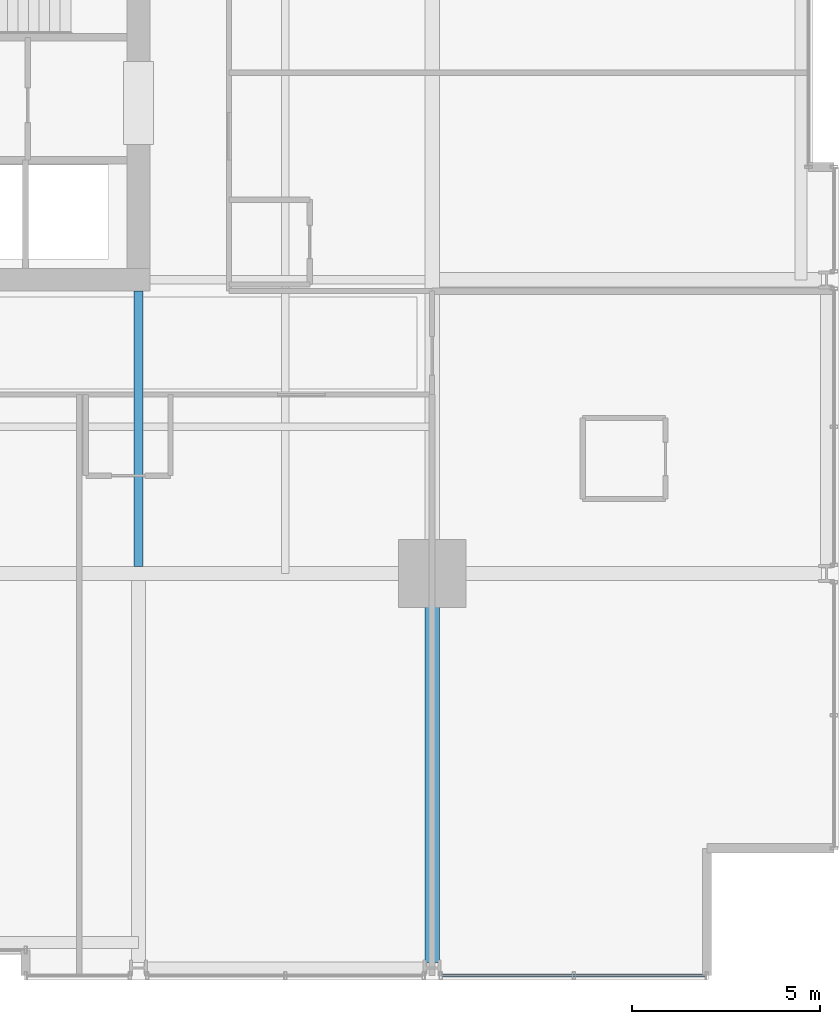
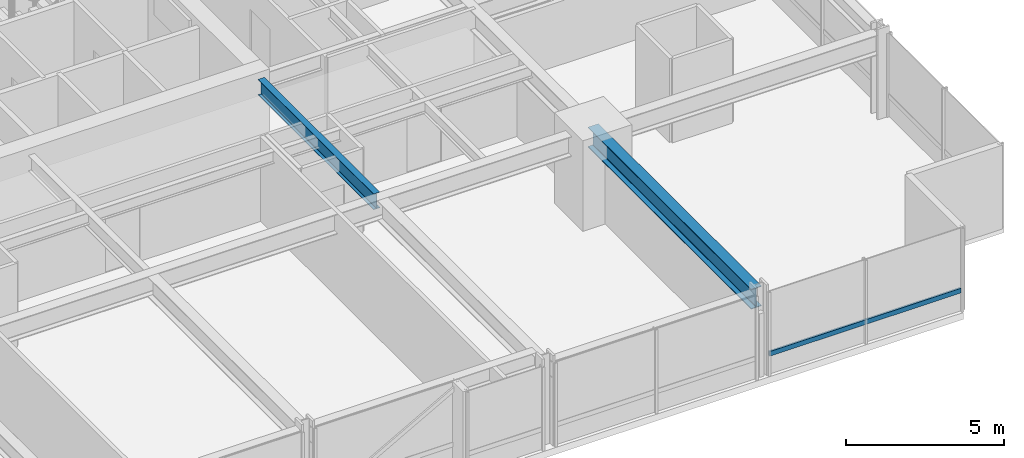
# One storey, part 12 of 38: 2 beams, 1 member, 1 element without a shape of its own.
"""IFC4 building model written with IfcOpenShell, lengths in metres."""

import ifcopenshell
import ifcopenshell.guid

model = None  # the IFC model being written
_history = None  # IfcOwnerHistory: only IFC2X3 demands one
_inside = {}  # id of a spatial element -> (the spatial element, [elements in it])
_under = {}  # id of a project, library or spatial element -> (it, [spatial elements below it])
_declared = {}  # id of a project -> (the project, [libraries it declares])
_typed = {}  # id of a type object -> (the type object, [elements of that type])
_made_of = {}  # id of a material, layer set ... -> (it, [elements and type objects made of it])


def new_model(schema):
    """Start an empty IFC model of exactly this schema.

    Asked for "IFC4X3", IfcOpenShell would pick the latest addendum, in which some entities
    have other attributes; the version numbers below select the first issue.
    IFC2X3 requires an IfcOwnerHistory on every rooted entity: one is made here for all.
    """
    global model, _history
    if schema == "IFC4X3":
        model = ifcopenshell.file(schema_version=(4, 3, 0, 0))
    else:
        model = ifcopenshell.file(schema=schema)
    _inside.clear()
    _under.clear()
    _declared.clear()
    _typed.clear()
    _made_of.clear()
    _history = None
    if model.schema == "IFC2X3":
        org = make("IfcOrganization", Name="unknown")
        user = make(
            "IfcPersonAndOrganization",
            ThePerson=make("IfcPerson", FamilyName="unknown"),
            TheOrganization=org,
        )
        app = make(
            "IfcApplication",
            ApplicationDeveloper=org,
            Version="unknown",
            ApplicationFullName="unknown",
            ApplicationIdentifier="unknown",
        )
        _history = make(
            "IfcOwnerHistory",
            OwningUser=user,
            OwningApplication=app,
            ChangeAction="ADDED",
            CreationDate=0,
        )
    return model


def make(cls, **values):
    """One entity of the class cls with the attributes given. An attribute that is None is left unset."""
    return model.create_entity(
        cls, **{name: value for name, value in values.items() if value is not None}
    )


def rooted(cls, **values):
    """An entity with a GlobalId (a new one), such as an element, a storey or a relation."""
    return make(cls, GlobalId=ifcopenshell.guid.new(), OwnerHistory=_history, **values)


def si_unit(unit_type, name, prefix=None):
    """IfcSIUnit, for example si_unit("LENGTHUNIT", "METRE", prefix="MILLI")."""
    return make("IfcSIUnit", UnitType=unit_type, Prefix=prefix, Name=name)


def assignment(units):
    """IfcUnitAssignment: the units of a project."""
    return None if units is None else make("IfcUnitAssignment", Units=units)


def point(xyz):
    """IfcCartesianPoint."""
    return None if xyz is None else make("IfcCartesianPoint", Coordinates=xyz)


def direction(xyz):
    """IfcDirection."""
    return None if xyz is None else make("IfcDirection", DirectionRatios=xyz)


def frame(location, z_axis=None, x_axis=None):
    """IfcAxis2Placement3D, a coordinate frame: its origin and axes. An axis left out is left unset."""
    return make(
        "IfcAxis2Placement3D",
        Location=point(location),
        Axis=direction(z_axis),
        RefDirection=direction(x_axis),
    )


def frame_2d(location, x_axis=None):
    """IfcAxis2Placement2D, a coordinate frame in the plane: its origin and x axis."""
    return make(
        "IfcAxis2Placement2D", Location=point(location), RefDirection=direction(x_axis)
    )


def origin():
    """The frame at (0, 0, 0) with its axes left unset."""
    return frame((0.0, 0.0, 0.0))


def origin_2d():
    """The frame at (0, 0) in the plane with its x axis left unset."""
    return frame_2d((0.0, 0.0))


def place(relative_to, where):
    """IfcLocalPlacement: puts the frame where relative to a parent placement (None: the world)."""
    return make(
        "IfcLocalPlacement", PlacementRelTo=relative_to, RelativePlacement=where
    )


def context(
    kind, dimensions, precision=None, world=None, true_north=None, identifier=None
):
    """IfcGeometricRepresentationContext, for example the 3D "Model" context."""
    return make(
        "IfcGeometricRepresentationContext",
        ContextIdentifier=identifier,
        ContextType=kind,
        CoordinateSpaceDimension=dimensions,
        Precision=precision,
        WorldCoordinateSystem=world,
        TrueNorth=true_north,
    )


def subcontext(parent, identifier, kind, view, scale=None):
    """IfcGeometricRepresentationSubContext, for example "Body" below "Model"."""
    return make(
        "IfcGeometricRepresentationSubContext",
        ContextIdentifier=identifier,
        ContextType=kind,
        ParentContext=parent,
        TargetScale=scale,
        TargetView=view,
    )


def project(units=None, contexts=None):
    """IfcProject with its units and contexts."""
    return rooted(
        "IfcProject",
        Name="project",
        RepresentationContexts=contexts,
        UnitsInContext=assignment(units),
    )


def spatial(cls, under=None, at=None, **own):
    """A site, building, storey or space (cls), placed at a placement, below another one or the project."""
    s = rooted(cls, ObjectPlacement=at, **own)
    if under is not None:
        _under.setdefault(under.id(), (under, []))[1].append(s)
    return s


def profile(cls, at=None, kind="AREA", **sizes):
    """A parametric profile (cls). Its sizes go by their IFC names, for example OverallWidth=200.0."""
    return make(cls, ProfileType=kind, Position=at, **sizes)


def hollow_rectangle(**sizes):
    """IfcRectangleHollowProfileDef."""
    return profile("IfcRectangleHollowProfileDef", **sizes)


def i_section(**sizes):
    """IfcIShapeProfileDef."""
    return profile("IfcIShapeProfileDef", **sizes)


def extrude(swept, where, along, depth):
    """IfcExtrudedAreaSolid: the profile swept, set in the frame where, extruded along a direction by depth."""
    return make(
        "IfcExtrudedAreaSolid",
        SweptArea=swept,
        Position=where,
        ExtrudedDirection=direction(along),
        Depth=depth,
    )


def shape(context_of_items, identifier, shape_type, items):
    """IfcShapeRepresentation: the items that make up one representation, for example the "Body"."""
    return make(
        "IfcShapeRepresentation",
        ContextOfItems=context_of_items,
        RepresentationIdentifier=identifier,
        RepresentationType=shape_type,
        Items=items,
    )


def material(Name=None, Category=None):
    """IfcMaterial."""
    return make("IfcMaterial", Name=Name, Category=Category)


def layer(
    of_material, thickness, ventilated=None, Name=None, Category=None, Priority=None
):
    """IfcMaterialLayer: one layer of a wall or slab, of a material (None: an air gap)."""
    return make(
        "IfcMaterialLayer",
        Material=of_material,
        LayerThickness=thickness,
        IsVentilated=ventilated,
        Name=Name,
        Category=Category,
        Priority=Priority,
    )


def layer_set(layers, Name=None):
    """IfcMaterialLayerSet."""
    return make("IfcMaterialLayerSet", MaterialLayers=layers, LayerSetName=Name)


def material_profile(
    of_material, cross_section, Name=None, Category=None, Priority=None
):
    """IfcMaterialProfile: a cross section and its material."""
    return make(
        "IfcMaterialProfile",
        Name=Name,
        Material=of_material,
        Profile=cross_section,
        Priority=Priority,
        Category=Category,
    )


def profile_set(profiles, Name=None, composite=None):
    """IfcMaterialProfileSet."""
    return make(
        "IfcMaterialProfileSet",
        Name=Name,
        MaterialProfiles=profiles,
        CompositeProfile=composite,
    )


def made_of(thing, what):
    """Note that an element or type object is made of a material, layer set ...; save() writes the relation."""
    if what is not None:
        _made_of.setdefault(what.id(), (what, []))[1].append(thing)
    return thing


def type_object(cls, material=None, **own):
    """A type object (cls), such as IfcWallType, which elements share."""
    return made_of(rooted(cls, **own), material)


def element(
    cls,
    number,
    at=None,
    inside=None,
    cuts=None,
    type_object=None,
    material=None,
    context=None,
    identifier="Body",
    shape_type=None,
    held_by="IfcProductDefinitionShape",
    body=None,
    shapes=None,
    **own,
):
    """One element of the class cls, such as IfcWall. Its Tag is "e" and its number.

    at: its placement. inside: the storey or other place that contains it. cuts: it is an
    opening in that element (IfcRelVoidsElement). A single representation is given by context,
    identifier, shape_type and body (its items); several are given by shapes. held_by: the class
    of the entity that holds the representations. save() writes the other relations.
    """
    e = rooted(cls, Tag="e%d" % number, ObjectPlacement=at, **own)
    if body is not None:
        shapes = [shape(context, identifier, shape_type, body)]
    if shapes is not None:
        e.Representation = make(held_by, Representations=shapes)
    if inside is not None:
        _inside.setdefault(inside.id(), (inside, []))[1].append(e)
    if cuts is not None:
        rooted(
            "IfcRelVoidsElement", RelatingBuildingElement=cuts, RelatedOpeningElement=e
        )
    if type_object is not None:
        _typed.setdefault(type_object.id(), (type_object, []))[1].append(e)
    return made_of(e, material)


def aggregate(whole, parts):
    """IfcRelAggregates: a whole, such as a stair, and the parts it consists of."""
    return rooted("IfcRelAggregates", RelatingObject=whole, RelatedObjects=parts)


def save(model, path):
    """Write the relations noted so far, then the file.

    IfcRelAggregates (storeys below a building ...), IfcRelContainedInSpatialStructure (elements
    in a storey), IfcRelDefinesByType, IfcRelAssociatesMaterial and IfcRelDeclares: one each for
    every whole, place, type object, material and project.
    """
    for whole, parts in _under.values():
        aggregate(whole, parts)
    for where, things in _inside.values():
        rooted(
            "IfcRelContainedInSpatialStructure",
            RelatedElements=things,
            RelatingStructure=where,
        )
    for kind, things in _typed.values():
        rooted("IfcRelDefinesByType", RelatedObjects=things, RelatingType=kind)
    for what, things in _made_of.values():
        rooted("IfcRelAssociatesMaterial", RelatedObjects=things, RelatingMaterial=what)
    for by, libraries in _declared.values():
        rooted("IfcRelDeclares", RelatingContext=by, RelatedDefinitions=libraries)
    model.write(path)


model = new_model("IFC4")

# Units and contexts
model_context = context("Model", 3, precision=1e-05, world=origin(), true_north=direction((0.0, 1.0)))
body_context = subcontext(model_context, "Body", "Model", "MODEL_VIEW")
ifc_project = project(units=[si_unit("LENGTHUNIT", "METRE"), si_unit("AREAUNIT", "SQUARE_METRE"), si_unit("VOLUMEUNIT", "CUBIC_METRE"), si_unit("PLANEANGLEUNIT", "RADIAN"), si_unit("MASSUNIT", "GRAM", prefix="KILO")], contexts=[model_context])

# Site, building, storey
site_placement = place(None, origin())
site = spatial("IfcSite", under=ifc_project, at=site_placement, CompositionType="ELEMENT")
building_placement = place(site_placement, origin())
building = spatial("IfcBuilding", under=site, at=building_placement, Name="Drelvath Grand Hotel", CompositionType="ELEMENT")
storey_placement = place(building_placement, frame((0.0, 0.0, 64.699951171875)))
storey = spatial("IfcBuildingStorey", under=building, at=storey_placement, Name="L15", CompositionType="ELEMENT", Elevation=64.699951171875)

# Curtain wall, member
ifc_material_1 = material(Name="Warm Bronze Anodised Aluminium Frame", Category="aluminium")
ifc_layer = layer(ifc_material_1, 0.199951171875)
ifc_layer_set = layer_set([ifc_layer], Name="Warm Bronze Anodised Aluminium Frame")
curtain_wall_type = type_object("IfcCurtainWallType", Name="Stick Curtain Wall CW-02 Warm Bronze Low-Rise", PredefinedType="NOTDEFINED", material=ifc_layer_set)
curtain_wall_placement = place(storey_placement, origin())
curtain_wall = element("IfcCurtainWall", 1, at=curtain_wall_placement, inside=storey, type_object=curtain_wall_type, Name="L15 CW-02 Curtain Wall CW02-L15-SE3", PredefinedType="NOTDEFINED")
ifc_material_profile_1 = material_profile(ifc_material_1, hollow_rectangle(XDim=0.074951171875, YDim=0.179931640625, WallThickness=0.0048828125, at=origin_2d()), Name="HSS180X75X5")
ifc_profile_set_1 = profile_set([ifc_material_profile_1], Name="Warm Bronze Anodised Aluminium Frame")
member_type = type_object("IfcMemberType", Name="Curtain Wall Horizontal Transom CW-02 HSS180X75X5", PredefinedType="USERDEFINED", material=ifc_profile_set_1)
member_placement = place(storey_placement, frame((23.4599609375, 0.1201171875, 0.81005859375), z_axis=(-1.0, 0.0, 0.0), x_axis=(0.0, -1.0, 0.0)))
member = element("IfcMember", 2, at=member_placement, type_object=member_type, Name="CW02-L15-SE3 Sill Transom", ObjectType="TRANSOM", PredefinedType="USERDEFINED", context=body_context, shape_type="SweptSolid", body=[
    extrude(hollow_rectangle(XDim=0.074951171875, YDim=0.179931640625, WallThickness=0.0048828125, at=origin_2d()), origin(), (0.0, 0.0, 1.0), 6.990966796875),
])
aggregate(curtain_wall, [member])

# Beams
ifc_material_2 = material(Name="Steel ASTM A992 Gr 50", Category="steel")
ifc_material_profile_2 = material_profile(ifc_material_2, i_section(OverallWidth=0.228271484375, OverallDepth=0.607666015625, WebThickness=0.01123046875, FlangeThickness=0.017333984375, FilletRadius=0.02001953125, at=origin_2d()), Name="W24X76")
ifc_profile_set_2 = profile_set([ifc_material_profile_2], Name="Steel ASTM A992 Gr 50")
beam_type_1 = type_object("IfcBeamType", Name="Primary Floor Girder W24X76", PredefinedType="BEAM", material=ifc_profile_set_2)
beam_1_placement = place(storey_placement, frame((8.39990234375, 10.990234375, 2.936279296875), z_axis=(0.0, 1.0, 0.0), x_axis=(-1.0, 0.0, 0.0)))
element("IfcBeam", 3, at=beam_1_placement, inside=storey, type_object=beam_type_1, Name="L15 South Core Tie 6", PredefinedType="BEAM", context=body_context, shape_type="SweptSolid", body=[
    extrude(i_section(OverallWidth=0.228271484375, OverallDepth=0.607666015625, WebThickness=0.01123046875, FlangeThickness=0.017333984375, FilletRadius=0.02001953125, at=origin_2d()), origin(), (0.0, 0.0, 1.0), 7.309814453125),
])
ifc_material_profile_3 = material_profile(ifc_material_2, i_section(OverallWidth=0.380615234375, OverallDepth=0.773193359375, WebThickness=0.0166015625, FlangeThickness=0.027099609375, FilletRadius=0.02490234375, at=origin_2d()), Name="W30X173")
ifc_profile_set_3 = profile_set([ifc_material_profile_3], Name="Steel ASTM A992 Gr 50")
beam_type_2 = type_object("IfcBeamType", Name="Primary Floor Girder W30X173", PredefinedType="BEAM", material=ifc_profile_set_3)
beam_2_placement = place(storey_placement, frame((16.199951171875, 0.4599609375, 2.853515625), z_axis=(0.0, 1.0, 0.0), x_axis=(-1.0, 0.0, 0.0)))
element("IfcBeam", 4, at=beam_2_placement, inside=storey, type_object=beam_type_2, Name="L15 South Grid Girder 7", PredefinedType="BEAM", context=body_context, shape_type="SweptSolid", body=[
    extrude(i_section(OverallWidth=0.380615234375, OverallDepth=0.773193359375, WebThickness=0.0166015625, FlangeThickness=0.027099609375, FilletRadius=0.02490234375, at=origin_2d()), origin(), (0.0, 0.0, 1.0), 10.340087890625),
])

save(model, "model.ifc")
